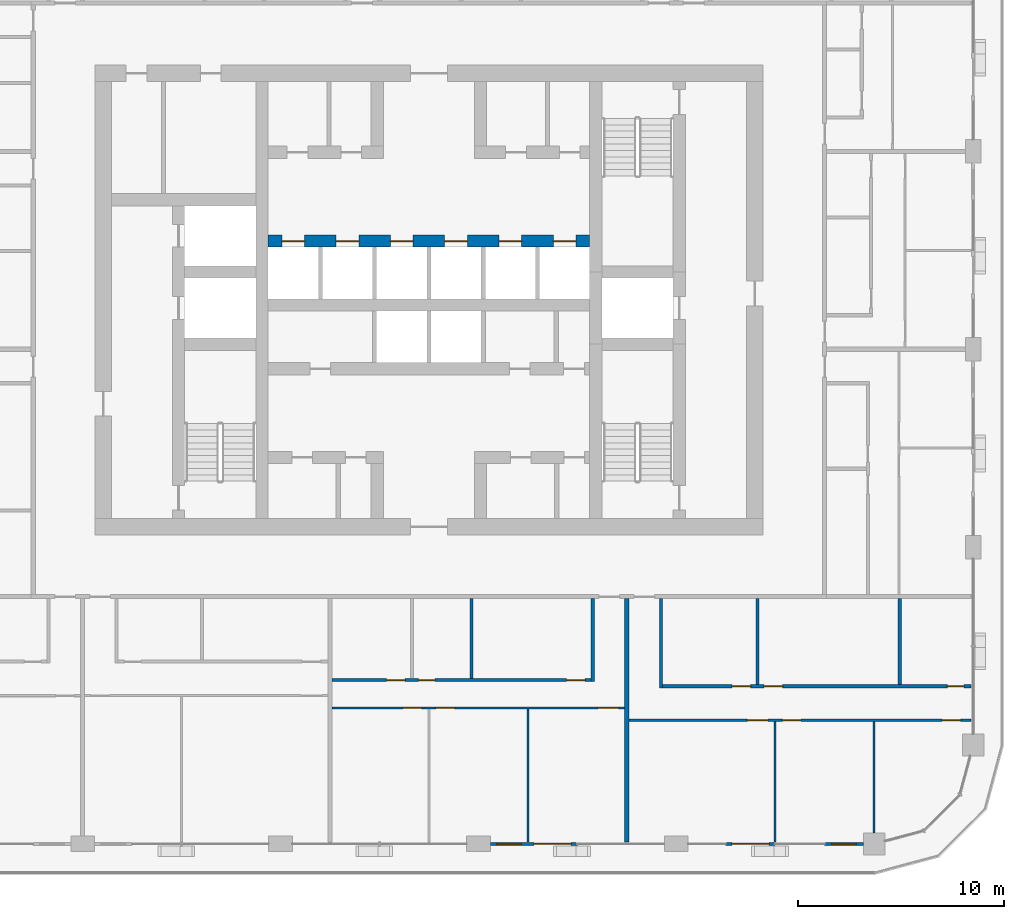
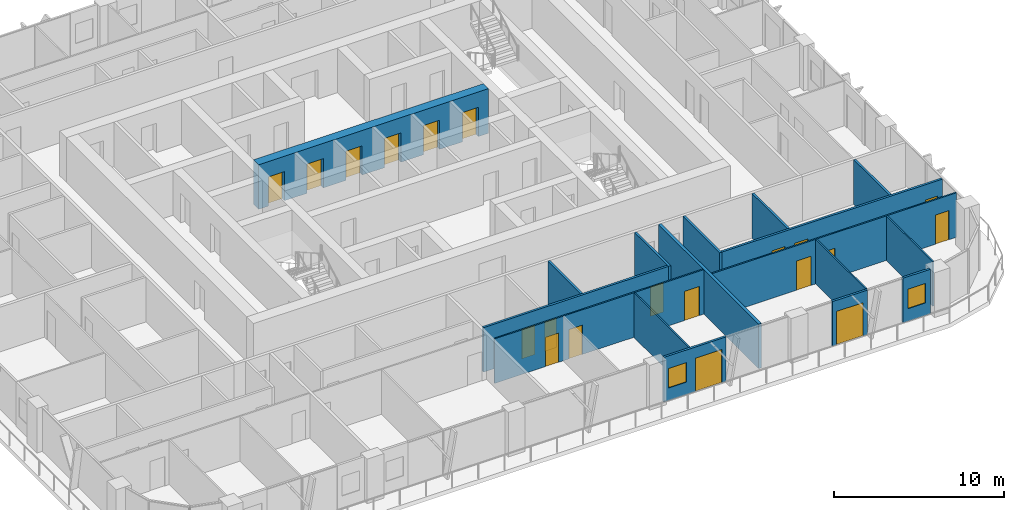
# One storey, part 11 of 22: 20 doors, 17 walls, 2 windows, 22 openings.
"""IFC4 building model written with IfcOpenShell, lengths in metres."""

from ifc_helpers import new_model, si_unit, direction, frame, frame_2d, origin, place, context, subcontext, project, spatial, rectangle, extrude, material, layer, layer_set, type_object, element, fill, save


model = new_model("IFC4")

# Units and contexts
model_context = context("Model", 3, precision=1e-05, world=origin(), true_north=direction((0.0, 1.0)))
body_context = subcontext(model_context, "Body", "Model", "MODEL_VIEW")
ifc_project = project(units=[si_unit("LENGTHUNIT", "METRE"), si_unit("AREAUNIT", "SQUARE_METRE"), si_unit("VOLUMEUNIT", "CUBIC_METRE"), si_unit("PLANEANGLEUNIT", "RADIAN"), si_unit("MASSUNIT", "GRAM", prefix="KILO")], contexts=[model_context])

# Site, building, storey
site_placement = place(None, origin())
site = spatial("IfcSite", under=ifc_project, at=site_placement, CompositionType="ELEMENT")
building_placement = place(site_placement, origin())
building = spatial("IfcBuilding", under=site, at=building_placement, Name="Madar Terraces", CompositionType="ELEMENT")
storey_placement = place(building_placement, frame((0.0, 0.0, 149.0)))
storey = spatial("IfcBuildingStorey", under=building, at=storey_placement, Name="L38", CompositionType="ELEMENT", Elevation=149.0)

# Wall, openings, doors
ifc_material_1 = material(Name="Concrete C70/85", Category="concrete")
ifc_layer_1 = layer(ifc_material_1, 0.60009765625)
ifc_layer_set_1 = layer_set([ifc_layer_1], Name="Concrete C70/85 (CIW3 RC wall 600)")
wall_type_1 = type_object("IfcWallType", Name="CIW3 RC wall 600", PredefinedType="SHEAR", material=ifc_layer_set_1)
wall_1_placement = place(storey_placement, frame((23.39990234375, 29.25, 0.0), z_axis=(0.0, 0.0, 1.0), x_axis=(1.0, 0.0, 0.0)))
wall_1 = element("IfcWall", 1, at=wall_1_placement, inside=storey, type_object=wall_type_1, Name="CORE SHAFT WALL", PredefinedType="SHEAR", context=body_context, shape_type="SweptSolid", body=[
    extrude(rectangle(XDim=15.60009765625, YDim=0.60009765625, at=frame_2d((7.800048828125, 0.0))), origin(), (0.0, 0.0, 1.0), 3.199951171875),
])
opening_1_placement = place(wall_1_placement, frame((0.666748046875, 0.0, 0.0)))
opening_1 = element("IfcOpeningElement", 2, at=opening_1_placement, cuts=wall_1, Name="Opening LD", PredefinedType="OPENING", context=body_context, shape_type="SweptSolid", body=[
    extrude(rectangle(XDim=1.10009765625, YDim=2.10009765625, at=frame_2d((0.550048828125, 1.050048828125))), frame((0.0, 0.31005859375, 0.0), z_axis=(0.0, -1.0, 0.0), x_axis=(1.0, 0.0, 0.0)), (0.0, 0.0, 1.0), 0.6201171875),
])
opening_2_placement = place(wall_1_placement, frame((3.300048828125, 0.0, 0.0)))
opening_2 = element("IfcOpeningElement", 3, at=opening_2_placement, cuts=wall_1, Name="Opening LD", PredefinedType="OPENING", context=body_context, shape_type="SweptSolid", body=[
    extrude(rectangle(XDim=1.10009765625, YDim=2.10009765625, at=frame_2d((0.550048828125, 1.050048828125))), frame((0.0, 0.31005859375, 0.0), z_axis=(0.0, -1.0, 0.0), x_axis=(1.0, 0.0, 0.0)), (0.0, 0.0, 1.0), 0.6201171875),
])
opening_3_placement = place(wall_1_placement, frame((5.933349609375, 0.0, 0.0)))
opening_3 = element("IfcOpeningElement", 4, at=opening_3_placement, cuts=wall_1, Name="Opening LD", PredefinedType="OPENING", context=body_context, shape_type="SweptSolid", body=[
    extrude(rectangle(XDim=1.10009765625, YDim=2.10009765625, at=frame_2d((0.550048828125, 1.050048828125))), frame((0.0, 0.31005859375, 0.0), z_axis=(0.0, -1.0, 0.0), x_axis=(1.0, 0.0, 0.0)), (0.0, 0.0, 1.0), 0.6201171875),
])
opening_4_placement = place(wall_1_placement, frame((8.566650390625, 0.0, 0.0)))
opening_4 = element("IfcOpeningElement", 5, at=opening_4_placement, cuts=wall_1, Name="Opening LD", PredefinedType="OPENING", context=body_context, shape_type="SweptSolid", body=[
    extrude(rectangle(XDim=1.10009765625, YDim=2.10009765625, at=frame_2d((0.550048828125, 1.050048828125))), frame((0.0, 0.31005859375, 0.0), z_axis=(0.0, -1.0, 0.0), x_axis=(1.0, 0.0, 0.0)), (0.0, 0.0, 1.0), 0.6201171875),
])
opening_5_placement = place(wall_1_placement, frame((11.199951171875, 0.0, 0.0)))
opening_5 = element("IfcOpeningElement", 6, at=opening_5_placement, cuts=wall_1, Name="Opening LD", PredefinedType="OPENING", context=body_context, shape_type="SweptSolid", body=[
    extrude(rectangle(XDim=1.10009765625, YDim=2.10009765625, at=frame_2d((0.550048828125, 1.050048828125))), frame((0.0, 0.31005859375, 0.0), z_axis=(0.0, -1.0, 0.0), x_axis=(1.0, 0.0, 0.0)), (0.0, 0.0, 1.0), 0.6201171875),
])
opening_6_placement = place(wall_1_placement, frame((13.833251953125, 0.0, 0.0)))
opening_6 = element("IfcOpeningElement", 7, at=opening_6_placement, cuts=wall_1, Name="Opening LD", PredefinedType="OPENING", context=body_context, shape_type="SweptSolid", body=[
    extrude(rectangle(XDim=1.10009765625, YDim=2.10009765625, at=frame_2d((0.550048828125, 1.050048828125))), frame((0.0, 0.31005859375, 0.0), z_axis=(0.0, -1.0, 0.0), x_axis=(1.0, 0.0, 0.0)), (0.0, 0.0, 1.0), 0.6201171875),
])
ifc_material_2 = material(Name="Stainless steel panel", Category="steel")
door_type_1 = type_object("IfcDoorType", Name="Lift landing door 1100 x 2100", OperationType="DOUBLE_DOOR_SLIDING", PredefinedType="DOOR", material=ifc_material_2)
door_1_placement = place(opening_1_placement, origin())
door_1 = element("IfcDoor", 8, at=door_1_placement, inside=storey, type_object=door_type_1, Name="LIFT LANDING DOOR", OperationType="DOUBLE_DOOR_SLIDING", OverallHeight=2.10009765625, OverallWidth=1.10009765625, PredefinedType="DOOR", context=body_context, shape_type="SweptSolid", body=[
    extrude(rectangle(XDim=1.10009765625, YDim=2.10009765625, at=frame_2d((0.550048828125, 1.050048828125))), frame((0.0, 0.02490234375, 0.0), z_axis=(0.0, -1.0, 0.0), x_axis=(1.0, 0.0, 0.0)), (0.0, 0.0, 1.0), 0.050048828125),
])
fill(opening_1, door_1)
door_2_placement = place(opening_2_placement, origin())
door_2 = element("IfcDoor", 9, at=door_2_placement, inside=storey, type_object=door_type_1, Name="LIFT LANDING DOOR", OperationType="DOUBLE_DOOR_SLIDING", OverallHeight=2.10009765625, OverallWidth=1.10009765625, PredefinedType="DOOR", context=body_context, shape_type="SweptSolid", body=[
    extrude(rectangle(XDim=1.10009765625, YDim=2.10009765625, at=frame_2d((0.550048828125, 1.050048828125))), frame((0.0, 0.02490234375, 0.0), z_axis=(0.0, -1.0, 0.0), x_axis=(1.0, 0.0, 0.0)), (0.0, 0.0, 1.0), 0.050048828125),
])
fill(opening_2, door_2)
door_3_placement = place(opening_3_placement, origin())
door_3 = element("IfcDoor", 10, at=door_3_placement, inside=storey, type_object=door_type_1, Name="LIFT LANDING DOOR", OperationType="DOUBLE_DOOR_SLIDING", OverallHeight=2.10009765625, OverallWidth=1.10009765625, PredefinedType="DOOR", context=body_context, shape_type="SweptSolid", body=[
    extrude(rectangle(XDim=1.10009765625, YDim=2.10009765625, at=frame_2d((0.550048828125, 1.050048828125))), frame((0.0, 0.02490234375, 0.0), z_axis=(0.0, -1.0, 0.0), x_axis=(1.0, 0.0, 0.0)), (0.0, 0.0, 1.0), 0.050048828125),
])
fill(opening_3, door_3)
door_4_placement = place(opening_4_placement, origin())
door_4 = element("IfcDoor", 11, at=door_4_placement, inside=storey, type_object=door_type_1, Name="LIFT LANDING DOOR", OperationType="DOUBLE_DOOR_SLIDING", OverallHeight=2.10009765625, OverallWidth=1.10009765625, PredefinedType="DOOR", context=body_context, shape_type="SweptSolid", body=[
    extrude(rectangle(XDim=1.10009765625, YDim=2.10009765625, at=frame_2d((0.550048828125, 1.050048828125))), frame((0.0, 0.02490234375, 0.0), z_axis=(0.0, -1.0, 0.0), x_axis=(1.0, 0.0, 0.0)), (0.0, 0.0, 1.0), 0.050048828125),
])
fill(opening_4, door_4)
door_5_placement = place(opening_5_placement, origin())
door_5 = element("IfcDoor", 12, at=door_5_placement, inside=storey, type_object=door_type_1, Name="LIFT LANDING DOOR", OperationType="DOUBLE_DOOR_SLIDING", OverallHeight=2.10009765625, OverallWidth=1.10009765625, PredefinedType="DOOR", context=body_context, shape_type="SweptSolid", body=[
    extrude(rectangle(XDim=1.10009765625, YDim=2.10009765625, at=frame_2d((0.550048828125, 1.050048828125))), frame((0.0, 0.02490234375, 0.0), z_axis=(0.0, -1.0, 0.0), x_axis=(1.0, 0.0, 0.0)), (0.0, 0.0, 1.0), 0.050048828125),
])
fill(opening_5, door_5)
door_6_placement = place(opening_6_placement, origin())
door_6 = element("IfcDoor", 13, at=door_6_placement, inside=storey, type_object=door_type_1, Name="LIFT LANDING DOOR", OperationType="DOUBLE_DOOR_SLIDING", OverallHeight=2.10009765625, OverallWidth=1.10009765625, PredefinedType="DOOR", context=body_context, shape_type="SweptSolid", body=[
    extrude(rectangle(XDim=1.10009765625, YDim=2.10009765625, at=frame_2d((0.550048828125, 1.050048828125))), frame((0.0, 0.02490234375, 0.0), z_axis=(0.0, -1.0, 0.0), x_axis=(1.0, 0.0, 0.0)), (0.0, 0.0, 1.0), 0.050048828125),
])
fill(opening_6, door_6)

# Wall, openings, door, window
ifc_material_3 = material(Name="Aluminium composite panel, black, over insulated backing", Category="aluminium")
ifc_layer_2 = layer(ifc_material_3, 0.14990234375)
ifc_layer_set_2 = layer_set([ifc_layer_2], Name="Facade bay panel 150")
wall_type_2 = type_object("IfcWallType", Name="Facade bay panel 150", PredefinedType="SOLIDWALL", material=ifc_layer_set_2)
wall_2_placement = place(storey_placement, frame((34.175048828125, 0.0, 0.0), z_axis=(0.0, 0.0, 1.0), x_axis=(1.0, 0.0, 0.0)))
wall_2 = element("IfcWall", 14, at=wall_2_placement, inside=storey, type_object=wall_type_2, Name="Facade bay panel", PredefinedType="SOLIDWALL", context=body_context, shape_type="SweptSolid", body=[
    extrude(rectangle(XDim=4.224853515625, YDim=0.14990234375, at=frame_2d((2.1123046875, 0.0))), origin(), (0.0, 0.0, 1.0), 3.199951171875),
])
opening_7_placement = place(wall_2_placement, frame((0.3125, 0.0, 0.89990234375)))
opening_7 = element("IfcOpeningElement", 15, at=opening_7_placement, cuts=wall_2, Name="Opening W1", PredefinedType="OPENING", context=body_context, shape_type="SweptSolid", body=[
    extrude(rectangle(XDim=1.199951171875, YDim=1.39990234375, at=frame_2d((0.60009765625, 0.699951171875))), frame((0.0, 0.0849609375, 0.0), z_axis=(0.0, -1.0, 0.0), x_axis=(1.0, 0.0, 0.0)), (0.0, 0.0, 1.0), 0.169921875),
])
opening_8_placement = place(wall_2_placement, frame((2.125, 0.0, 0.0)))
opening_8 = element("IfcOpeningElement", 16, at=opening_8_placement, cuts=wall_2, Name="Opening ED1", PredefinedType="OPENING", context=body_context, shape_type="SweptSolid", body=[
    extrude(rectangle(XDim=1.800048828125, YDim=2.39990234375, at=frame_2d((0.89990234375, 1.199951171875))), frame((0.0, 0.0849609375, 0.0), z_axis=(0.0, -1.0, 0.0), x_axis=(1.0, 0.0, 0.0)), (0.0, 0.0, 1.0), 0.169921875),
])
ifc_material_4 = material(Name="Glass, clear, with black aluminium frame", Category="aluminium")
door_type_2 = type_object("IfcDoorType", Name="Balcony and terrace sliding door 1800 x 2400", OperationType="SLIDING_TO_LEFT", PredefinedType="DOOR", material=ifc_material_4)
door_7_placement = place(opening_8_placement, origin())
door_7 = element("IfcDoor", 17, at=door_7_placement, inside=storey, type_object=door_type_2, Name="Balcony door", OperationType="SLIDING_TO_LEFT", OverallHeight=2.39990234375, OverallWidth=1.800048828125, PredefinedType="DOOR", context=body_context, shape_type="SweptSolid", body=[
    extrude(rectangle(XDim=1.800048828125, YDim=2.39990234375, at=frame_2d((0.89990234375, 1.199951171875))), frame((0.0, 0.02490234375, 0.0), z_axis=(0.0, -1.0, 0.0), x_axis=(1.0, 0.0, 0.0)), (0.0, 0.0, 1.0), 0.050048828125),
])
fill(opening_8, door_7)
ifc_material_5 = material(Name="Glass, clear, with black aluminium frame", Category="aluminium")
window_type = type_object("IfcWindowType", Name="Vent window 1200 x 1400", PartitioningType="SINGLE_PANEL", PredefinedType="WINDOW", material=ifc_material_5)
window_1_placement = place(opening_7_placement, origin())
window_1 = element("IfcWindow", 18, at=window_1_placement, inside=storey, type_object=window_type, Name="Operable vent window", OverallHeight=1.39990234375, OverallWidth=1.199951171875, PartitioningType="SINGLE_PANEL", PredefinedType="WINDOW", context=body_context, shape_type="SweptSolid", body=[
    extrude(rectangle(XDim=1.199951171875, YDim=1.39990234375, at=frame_2d((0.60009765625, 0.699951171875))), frame((0.0, 0.030029296875, 0.0), z_axis=(0.0, -1.0, 0.0), x_axis=(1.0, 0.0, 0.0)), (0.0, 0.0, 1.0), 0.06005859375),
])
fill(opening_7, window_1)

# Wall, opening, door
wall_3_placement = place(storey_placement, frame((45.60009765625, 0.0, 0.0), z_axis=(0.0, 0.0, 1.0), x_axis=(1.0, 0.0, 0.0)))
wall_3 = element("IfcWall", 19, at=wall_3_placement, inside=storey, type_object=wall_type_2, Name="Facade bay panel", PredefinedType="SOLIDWALL", context=body_context, shape_type="SweptSolid", body=[
    extrude(rectangle(XDim=2.39990234375, YDim=0.14990234375, at=frame_2d((1.199951171875, 0.0))), origin(), (0.0, 0.0, 1.0), 3.199951171875),
])
opening_9_placement = place(wall_3_placement, frame((0.300048828125, 0.0, 0.0)))
opening_9 = element("IfcOpeningElement", 20, at=opening_9_placement, cuts=wall_3, Name="Opening ED1", PredefinedType="OPENING", context=body_context, shape_type="SweptSolid", body=[
    extrude(rectangle(XDim=1.800048828125, YDim=2.39990234375, at=frame_2d((0.89990234375, 1.199951171875))), frame((0.0, 0.0849609375, 0.0), z_axis=(0.0, -1.0, 0.0), x_axis=(1.0, 0.0, 0.0)), (0.0, 0.0, 1.0), 0.169921875),
])
door_8_placement = place(opening_9_placement, origin())
door_8 = element("IfcDoor", 21, at=door_8_placement, inside=storey, type_object=door_type_2, Name="Balcony door", OperationType="SLIDING_TO_RIGHT", OverallHeight=2.39990234375, OverallWidth=1.800048828125, PredefinedType="DOOR", context=body_context, shape_type="SweptSolid", body=[
    extrude(rectangle(XDim=1.800048828125, YDim=2.39990234375, at=frame_2d((0.89990234375, 1.199951171875))), frame((0.0, 0.02490234375, 0.0), z_axis=(0.0, -1.0, 0.0), x_axis=(1.0, 0.0, 0.0)), (0.0, 0.0, 1.0), 0.050048828125),
])
fill(opening_9, door_8)

# Wall, opening, window
wall_4_placement = place(storey_placement, frame((50.39990234375, 0.0, 0.0), z_axis=(0.0, 0.0, 1.0), x_axis=(1.0, 0.0, 0.0)))
wall_4 = element("IfcWall", 22, at=wall_4_placement, inside=storey, type_object=wall_type_2, Name="Facade bay panel", PredefinedType="SOLIDWALL", context=body_context, shape_type="SweptSolid", body=[
    extrude(rectangle(XDim=1.875, YDim=0.14990234375, at=frame_2d((0.9375, 0.0))), origin(), (0.0, 0.0, 1.0), 3.199951171875),
])
opening_10_placement = place(wall_4_placement, frame((0.33740234375, 0.0, 0.89990234375)))
opening_10 = element("IfcOpeningElement", 23, at=opening_10_placement, cuts=wall_4, Name="Opening W1", PredefinedType="OPENING", context=body_context, shape_type="SweptSolid", body=[
    extrude(rectangle(XDim=1.199951171875, YDim=1.39990234375, at=frame_2d((0.60009765625, 0.699951171875))), frame((0.0, 0.0849609375, 0.0), z_axis=(0.0, -1.0, 0.0), x_axis=(1.0, 0.0, 0.0)), (0.0, 0.0, 1.0), 0.169921875),
])
window_2_placement = place(opening_10_placement, origin())
window_2 = element("IfcWindow", 24, at=window_2_placement, inside=storey, type_object=window_type, Name="Operable vent window", OverallHeight=1.39990234375, OverallWidth=1.199951171875, PartitioningType="SINGLE_PANEL", PredefinedType="WINDOW", context=body_context, shape_type="SweptSolid", body=[
    extrude(rectangle(XDim=1.199951171875, YDim=1.39990234375, at=frame_2d((0.60009765625, 0.699951171875))), frame((0.0, 0.030029296875, 0.0), z_axis=(0.0, -1.0, 0.0), x_axis=(1.0, 0.0, 0.0)), (0.0, 0.0, 1.0), 0.06005859375),
])
fill(opening_10, window_2)

# Wall
ifc_material_6 = material(Name="Gypsum board on steel studs", Category="steel")
ifc_layer_3 = layer(ifc_material_6, 0.10009765625)
ifc_layer_set_3 = layer_set([ifc_layer_3], Name="Flat partition 100")
wall_type_3 = type_object("IfcWallType", Name="Flat partition 100", PredefinedType="PARTITIONING", material=ifc_layer_set_3)
wall_5_placement = place(storey_placement, frame((36.0, 6.550048828125, 0.0), z_axis=(0.0, 0.0, 1.0), x_axis=(0.0, -1.0, 0.0)))
element("IfcWall", 25, at=wall_5_placement, inside=storey, type_object=wall_type_3, Name="Flat partition 100", PredefinedType="PARTITIONING", context=body_context, shape_type="SweptSolid", body=[
    extrude(rectangle(XDim=6.449951171875, YDim=0.10009765625, at=frame_2d((3.22509765625, 0.0))), origin(), (0.0, 0.0, 1.0), 3.199951171875),
])

# Wall, openings, doors
wall_6_placement = place(storey_placement, frame((40.699951171875, 6.60009765625, 0.0), z_axis=(0.0, 0.0, 1.0), x_axis=(-1.0, 0.0, 0.0)))
wall_6 = element("IfcWall", 26, at=wall_6_placement, inside=storey, type_object=wall_type_3, Name="Flat partition 100", PredefinedType="PARTITIONING", context=body_context, shape_type="SweptSolid", body=[
    extrude(rectangle(XDim=14.199951171875, YDim=0.10009765625, at=frame_2d((7.10009765625, 0.0))), origin(), (0.0, 0.0, 1.0), 3.199951171875),
])
opening_11_placement = place(wall_6_placement, frame((0.300048828125, 0.0, 0.0)))
opening_11 = element("IfcOpeningElement", 27, at=opening_11_placement, cuts=wall_6, Name="Opening D3", PredefinedType="OPENING", context=body_context, shape_type="SweptSolid", body=[
    extrude(rectangle(XDim=1.0, YDim=2.10009765625, at=frame_2d((0.5, 1.050048828125))), frame((0.0, 0.06005859375, 0.0), z_axis=(0.0, -1.0, 0.0), x_axis=(1.0, 0.0, 0.0)), (0.0, 0.0, 1.0), 0.1201171875),
])
opening_12_placement = place(wall_6_placement, frame((8.25, 0.0, 0.0)))
opening_12 = element("IfcOpeningElement", 28, at=opening_12_placement, cuts=wall_6, Name="Opening D2", PredefinedType="OPENING", context=body_context, shape_type="SweptSolid", body=[
    extrude(rectangle(XDim=0.89990234375, YDim=2.10009765625, at=frame_2d((0.449951171875, 1.050048828125))), frame((0.0, 0.06005859375, 0.0), z_axis=(0.0, -1.0, 0.0), x_axis=(1.0, 0.0, 0.0)), (0.0, 0.0, 1.0), 0.1201171875),
])
opening_13_placement = place(wall_6_placement, frame((9.85009765625, 0.0, 0.0)))
opening_13 = element("IfcOpeningElement", 29, at=opening_13_placement, cuts=wall_6, Name="Opening D2", PredefinedType="OPENING", context=body_context, shape_type="SweptSolid", body=[
    extrude(rectangle(XDim=0.89990234375, YDim=2.10009765625, at=frame_2d((0.449951171875, 1.050048828125))), frame((0.0, 0.06005859375, 0.0), z_axis=(0.0, -1.0, 0.0), x_axis=(1.0, 0.0, 0.0)), (0.0, 0.0, 1.0), 0.1201171875),
])
ifc_material_7 = material(Name="Timber door leaf", Category="wood")
door_type_3 = type_object("IfcDoorType", Name="Flat living room door 1000", OperationType="NOTDEFINED", PredefinedType="DOOR", material=ifc_material_7)
door_9_placement = place(opening_11_placement, origin())
door_9 = element("IfcDoor", 30, at=door_9_placement, inside=storey, type_object=door_type_3, Name="Flat living room door 1000", OperationType="SINGLE_SWING_LEFT", OverallHeight=2.10009765625, OverallWidth=1.0, PredefinedType="DOOR", context=body_context, shape_type="SweptSolid", body=[
    extrude(rectangle(XDim=1.0, YDim=2.10009765625, at=frame_2d((0.5, 1.050048828125))), frame((0.0, 0.02490234375, 0.0), z_axis=(0.0, -1.0, 0.0), x_axis=(1.0, 0.0, 0.0)), (0.0, 0.0, 1.0), 0.050048828125),
])
fill(opening_11, door_9)
ifc_material_8 = material(Name="Timber door leaf", Category="wood")
door_type_4 = type_object("IfcDoorType", Name="Flat room door 900", OperationType="NOTDEFINED", PredefinedType="DOOR", material=ifc_material_8)
door_10_placement = place(opening_12_placement, origin())
door_10 = element("IfcDoor", 31, at=door_10_placement, inside=storey, type_object=door_type_4, Name="Flat room door 900", OperationType="SINGLE_SWING_RIGHT", OverallHeight=2.10009765625, OverallWidth=0.89990234375, PredefinedType="DOOR", context=body_context, shape_type="SweptSolid", body=[
    extrude(rectangle(XDim=0.89990234375, YDim=2.10009765625, at=frame_2d((0.449951171875, 1.050048828125))), frame((0.0, 0.02490234375, 0.0), z_axis=(0.0, -1.0, 0.0), x_axis=(1.0, 0.0, 0.0)), (0.0, 0.0, 1.0), 0.050048828125),
])
fill(opening_12, door_10)
door_11_placement = place(opening_13_placement, origin())
door_11 = element("IfcDoor", 32, at=door_11_placement, inside=storey, type_object=door_type_4, Name="Flat room door 900", OperationType="SINGLE_SWING_LEFT", OverallHeight=2.10009765625, OverallWidth=0.89990234375, PredefinedType="DOOR", context=body_context, shape_type="SweptSolid", body=[
    extrude(rectangle(XDim=0.89990234375, YDim=2.10009765625, at=frame_2d((0.449951171875, 1.050048828125))), frame((0.0, 0.02490234375, 0.0), z_axis=(0.0, -1.0, 0.0), x_axis=(1.0, 0.0, 0.0)), (0.0, 0.0, 1.0), 0.050048828125),
])
fill(opening_13, door_11)

# Walls
wall_7_placement = place(storey_placement, frame((48.0, 5.949951171875, 0.0), z_axis=(0.0, 0.0, 1.0), x_axis=(0.0, -1.0, 0.0)))
element("IfcWall", 33, at=wall_7_placement, inside=storey, type_object=wall_type_3, Name="Flat partition 100", PredefinedType="PARTITIONING", context=body_context, shape_type="SweptSolid", body=[
    extrude(rectangle(XDim=5.849853515625, YDim=0.10009765625, at=frame_2d((2.9248046875, 0.0))), origin(), (0.0, 0.0, 1.0), 3.199951171875),
])
wall_8_placement = place(storey_placement, frame((52.800048828125, 5.949951171875, 0.0), z_axis=(0.0, 0.0, 1.0), x_axis=(0.0, -1.0, 0.0)))
element("IfcWall", 34, at=wall_8_placement, inside=storey, type_object=wall_type_3, Name="Flat partition 100", PredefinedType="PARTITIONING", context=body_context, shape_type="SweptSolid", body=[
    extrude(rectangle(XDim=5.425048828125, YDim=0.10009765625, at=frame_2d((2.71240234375, 0.0))), origin(), (0.0, 0.0, 1.0), 3.199951171875),
])

# Wall, openings, doors
wall_9_placement = place(storey_placement, frame((57.5, 6.0, 0.0), z_axis=(0.0, 0.0, 1.0), x_axis=(-1.0, 0.0, 0.0)))
wall_9 = element("IfcWall", 35, at=wall_9_placement, inside=storey, type_object=wall_type_3, Name="Flat partition 100", PredefinedType="PARTITIONING", context=body_context, shape_type="SweptSolid", body=[
    extrude(rectangle(XDim=16.60009765625, YDim=0.10009765625, at=frame_2d((8.300048828125, 0.0))), origin(), (0.0, 0.0, 1.0), 3.199951171875),
])
opening_14_placement = place(wall_9_placement, frame((9.85009765625, 0.0, 0.0)))
opening_14 = element("IfcOpeningElement", 36, at=opening_14_placement, cuts=wall_9, Name="Opening D3", PredefinedType="OPENING", context=body_context, shape_type="SweptSolid", body=[
    extrude(rectangle(XDim=1.0, YDim=2.10009765625, at=frame_2d((0.5, 1.050048828125))), frame((0.0, 0.06005859375, 0.0), z_axis=(0.0, -1.0, 0.0), x_axis=(1.0, 0.0, 0.0)), (0.0, 0.0, 1.0), 0.1201171875),
])
opening_15_placement = place(wall_9_placement, frame((8.25, 0.0, 0.0)))
opening_15 = element("IfcOpeningElement", 37, at=opening_15_placement, cuts=wall_9, Name="Opening D2", PredefinedType="OPENING", context=body_context, shape_type="SweptSolid", body=[
    extrude(rectangle(XDim=0.89990234375, YDim=2.10009765625, at=frame_2d((0.449951171875, 1.050048828125))), frame((0.0, 0.06005859375, 0.0), z_axis=(0.0, -1.0, 0.0), x_axis=(1.0, 0.0, 0.0)), (0.0, 0.0, 1.0), 0.1201171875),
])
opening_16_placement = place(wall_9_placement, frame((0.5, 0.0, 0.0)))
opening_16 = element("IfcOpeningElement", 38, at=opening_16_placement, cuts=wall_9, Name="Opening D2", PredefinedType="OPENING", context=body_context, shape_type="SweptSolid", body=[
    extrude(rectangle(XDim=0.89990234375, YDim=2.10009765625, at=frame_2d((0.449951171875, 1.050048828125))), frame((0.0, 0.06005859375, 0.0), z_axis=(0.0, -1.0, 0.0), x_axis=(1.0, 0.0, 0.0)), (0.0, 0.0, 1.0), 0.1201171875),
])
door_12_placement = place(opening_14_placement, origin())
door_12 = element("IfcDoor", 39, at=door_12_placement, inside=storey, type_object=door_type_3, Name="Flat living room door 1000", OperationType="SINGLE_SWING_LEFT", OverallHeight=2.10009765625, OverallWidth=1.0, PredefinedType="DOOR", context=body_context, shape_type="SweptSolid", body=[
    extrude(rectangle(XDim=1.0, YDim=2.10009765625, at=frame_2d((0.5, 1.050048828125))), frame((0.0, 0.02490234375, 0.0), z_axis=(0.0, -1.0, 0.0), x_axis=(1.0, 0.0, 0.0)), (0.0, 0.0, 1.0), 0.050048828125),
])
fill(opening_14, door_12)
door_13_placement = place(opening_15_placement, origin())
door_13 = element("IfcDoor", 40, at=door_13_placement, inside=storey, type_object=door_type_4, Name="Flat room door 900", OperationType="SINGLE_SWING_RIGHT", OverallHeight=2.10009765625, OverallWidth=0.89990234375, PredefinedType="DOOR", context=body_context, shape_type="SweptSolid", body=[
    extrude(rectangle(XDim=0.89990234375, YDim=2.10009765625, at=frame_2d((0.449951171875, 1.050048828125))), frame((0.0, 0.02490234375, 0.0), z_axis=(0.0, -1.0, 0.0), x_axis=(1.0, 0.0, 0.0)), (0.0, 0.0, 1.0), 0.050048828125),
])
fill(opening_15, door_13)
door_14_placement = place(opening_16_placement, origin())
door_14 = element("IfcDoor", 41, at=door_14_placement, inside=storey, type_object=door_type_4, Name="Flat room door 900", OperationType="SINGLE_SWING_LEFT", OverallHeight=2.10009765625, OverallWidth=0.89990234375, PredefinedType="DOOR", context=body_context, shape_type="SweptSolid", body=[
    extrude(rectangle(XDim=0.89990234375, YDim=2.10009765625, at=frame_2d((0.449951171875, 1.050048828125))), frame((0.0, 0.02490234375, 0.0), z_axis=(0.0, -1.0, 0.0), x_axis=(1.0, 0.0, 0.0)), (0.0, 0.0, 1.0), 0.050048828125),
])
fill(opening_16, door_14)

# Walls
ifc_material_9 = material(Name="Lightweight blockwork", Category="masonry")
ifc_layer_4 = layer(ifc_material_9, 0.199951171875)
ifc_layer_set_4 = layer_set([ifc_layer_4], Name="Flat party and entrance wall 200")
wall_type_4 = type_object("IfcWallType", Name="Flat party and entrance wall 200", PredefinedType="PARTITIONING", material=ifc_layer_set_4)
wall_10_placement = place(storey_placement, frame((40.800048828125, 11.89990234375, 0.0), z_axis=(0.0, 0.0, 1.0), x_axis=(0.0, -1.0, 0.0)))
element("IfcWall", 42, at=wall_10_placement, inside=storey, type_object=wall_type_4, Name="Flat party and entrance wall 200", PredefinedType="PARTITIONING", context=body_context, shape_type="SweptSolid", body=[
    extrude(rectangle(XDim=11.7998046875, YDim=0.199951171875, at=frame_2d((5.89990234375, 0.0))), origin(), (0.0, 0.0, 1.0), 3.199951171875),
])
ifc_material_10 = material(Name="Lightweight blockwork", Category="masonry")
ifc_layer_5 = layer(ifc_material_10, 0.14990234375)
ifc_layer_set_5 = layer_set([ifc_layer_5], Name="Flat wet-room partition 150")
wall_type_5 = type_object("IfcWallType", Name="Flat wet-room partition 150", PredefinedType="PARTITIONING", material=ifc_layer_set_5)
wall_11_placement = place(storey_placement, frame((33.271240234375, 11.89990234375, 0.0), z_axis=(0.0, 0.0, 1.0), x_axis=(0.0, -1.0, 0.0)))
element("IfcWall", 43, at=wall_11_placement, inside=storey, type_object=wall_type_5, Name="Flat wet-room partition 150", PredefinedType="PARTITIONING", context=body_context, shape_type="SweptSolid", body=[
    extrude(rectangle(XDim=3.875, YDim=0.14990234375, at=frame_2d((1.9375, 0.0))), origin(), (0.0, 0.0, 1.0), 3.199951171875),
])
wall_12_placement = place(storey_placement, frame((39.14990234375, 11.89990234375, 0.0), z_axis=(0.0, 0.0, 1.0), x_axis=(0.0, -1.0, 0.0)))
element("IfcWall", 44, at=wall_12_placement, inside=storey, type_object=wall_type_5, Name="Flat wet-room partition 150", PredefinedType="PARTITIONING", context=body_context, shape_type="SweptSolid", body=[
    extrude(rectangle(XDim=4.02490234375, YDim=0.14990234375, at=frame_2d((2.012451171875, 0.0))), origin(), (0.0, 0.0, 1.0), 3.199951171875),
])

# Wall, openings, doors
wall_13_placement = place(storey_placement, frame((26.5, 7.949951171875, 0.0), z_axis=(0.0, 0.0, 1.0), x_axis=(1.0, 0.0, 0.0)))
wall_13 = element("IfcWall", 45, at=wall_13_placement, inside=storey, type_object=wall_type_5, Name="Flat wet-room partition 150", PredefinedType="PARTITIONING", context=body_context, shape_type="SweptSolid", body=[
    extrude(rectangle(XDim=12.574951171875, YDim=0.14990234375, at=frame_2d((6.28759765625, 0.0))), origin(), (0.0, 0.0, 1.0), 3.199951171875),
])
opening_17_placement = place(wall_13_placement, frame((11.375, 0.0, 0.0)))
opening_17 = element("IfcOpeningElement", 46, at=opening_17_placement, cuts=wall_13, Name="Opening D2", PredefinedType="OPENING", context=body_context, shape_type="SweptSolid", body=[
    extrude(rectangle(XDim=0.89990234375, YDim=2.10009765625, at=frame_2d((0.449951171875, 1.050048828125))), frame((0.0, 0.0849609375, 0.0), z_axis=(0.0, -1.0, 0.0), x_axis=(1.0, 0.0, 0.0)), (0.0, 0.0, 1.0), 0.169921875),
])
opening_18_placement = place(wall_13_placement, frame((4.1943359375, 0.0, 0.0)))
opening_18 = element("IfcOpeningElement", 47, at=opening_18_placement, cuts=wall_13, Name="Opening D4", PredefinedType="OPENING", context=body_context, shape_type="SweptSolid", body=[
    extrude(rectangle(XDim=0.800048828125, YDim=2.10009765625, at=frame_2d((0.39990234375, 1.050048828125))), frame((0.0, 0.0849609375, 0.0), z_axis=(0.0, -1.0, 0.0), x_axis=(1.0, 0.0, 0.0)), (0.0, 0.0, 1.0), 0.169921875),
])
opening_19_placement = place(wall_13_placement, frame((2.644287109375, 0.0, 0.0)))
opening_19 = element("IfcOpeningElement", 48, at=opening_19_placement, cuts=wall_13, Name="Opening D5", PredefinedType="OPENING", context=body_context, shape_type="SweptSolid", body=[
    extrude(rectangle(XDim=0.89990234375, YDim=2.10009765625, at=frame_2d((0.449951171875, 1.050048828125))), frame((0.0, 0.0849609375, 0.0), z_axis=(0.0, -1.0, 0.0), x_axis=(1.0, 0.0, 0.0)), (0.0, 0.0, 1.0), 0.169921875),
])
ifc_material_11 = material(Name="Timber door leaf", Category="wood")
door_type_5 = type_object("IfcDoorType", Name="Flat accessible bathroom door 900", OperationType="NOTDEFINED", PredefinedType="DOOR", material=ifc_material_11)
door_15_placement = place(opening_19_placement, origin())
door_15 = element("IfcDoor", 49, at=door_15_placement, inside=storey, type_object=door_type_5, Name="Flat accessible bathroom door 900", OperationType="SINGLE_SWING_RIGHT", OverallHeight=2.10009765625, OverallWidth=0.89990234375, PredefinedType="DOOR", context=body_context, shape_type="SweptSolid", body=[
    extrude(rectangle(XDim=0.89990234375, YDim=2.10009765625, at=frame_2d((0.449951171875, 1.050048828125))), frame((0.0, 0.02490234375, 0.0), z_axis=(0.0, -1.0, 0.0), x_axis=(1.0, 0.0, 0.0)), (0.0, 0.0, 1.0), 0.050048828125),
])
fill(opening_19, door_15)
ifc_material_12 = material(Name="Timber door leaf", Category="wood")
door_type_6 = type_object("IfcDoorType", Name="Flat bathroom door 800", OperationType="NOTDEFINED", PredefinedType="DOOR", material=ifc_material_12)
door_16_placement = place(opening_18_placement, origin())
door_16 = element("IfcDoor", 50, at=door_16_placement, inside=storey, type_object=door_type_6, Name="Flat bathroom door 800", OperationType="SINGLE_SWING_LEFT", OverallHeight=2.10009765625, OverallWidth=0.800048828125, PredefinedType="DOOR", context=body_context, shape_type="SweptSolid", body=[
    extrude(rectangle(XDim=0.800048828125, YDim=2.10009765625, at=frame_2d((0.39990234375, 1.050048828125))), frame((0.0, 0.02490234375, 0.0), z_axis=(0.0, -1.0, 0.0), x_axis=(1.0, 0.0, 0.0)), (0.0, 0.0, 1.0), 0.050048828125),
])
fill(opening_18, door_16)
door_17_placement = place(opening_17_placement, origin())
door_17 = element("IfcDoor", 51, at=door_17_placement, inside=storey, type_object=door_type_4, Name="Flat room door 900", OperationType="SINGLE_SWING_RIGHT", OverallHeight=2.10009765625, OverallWidth=0.89990234375, PredefinedType="DOOR", context=body_context, shape_type="SweptSolid", body=[
    extrude(rectangle(XDim=0.89990234375, YDim=2.10009765625, at=frame_2d((0.449951171875, 1.050048828125))), frame((0.0, 0.02490234375, 0.0), z_axis=(0.0, -1.0, 0.0), x_axis=(1.0, 0.0, 0.0)), (0.0, 0.0, 1.0), 0.050048828125),
])
fill(opening_17, door_17)

# Walls
for number, where, z_axis, x_axis, name in (
    (52, (47.1328125, 11.89990234375, 0.0), (0.0, 0.0, 1.0), (0.0, -1.0, 0.0), "Flat wet-room partition 150"),
    (53, (54.044189453125, 11.89990234375, 0.0), (0.0, 0.0, 1.0), (0.0, -1.0, 0.0), "Flat wet-room partition 150"),
):
    element("IfcWall", number, at=place(storey_placement, frame(where, z_axis=z_axis, x_axis=x_axis)), inside=storey, type_object=wall_type_5, Name=name, PredefinedType="PARTITIONING", context=body_context, shape_type="SweptSolid", body=[
        extrude(rectangle(XDim=4.1748046875, YDim=0.14990234375, at=frame_2d((2.08740234375, 0.0))), origin(), (0.0, 0.0, 1.0), 3.199951171875),
    ])
wall_14_placement = place(storey_placement, frame((42.449951171875, 11.89990234375, 0.0), z_axis=(0.0, 0.0, 1.0), x_axis=(0.0, -1.0, 0.0)))
element("IfcWall", 54, at=wall_14_placement, inside=storey, type_object=wall_type_5, Name="Flat wet-room partition 150", PredefinedType="PARTITIONING", context=body_context, shape_type="SweptSolid", body=[
    extrude(rectangle(XDim=4.324951171875, YDim=0.14990234375, at=frame_2d((2.16259765625, 0.0))), origin(), (0.0, 0.0, 1.0), 3.199951171875),
])

# Wall, openings, doors
wall_15_placement = place(storey_placement, frame((42.52490234375, 7.64990234375, 0.0), z_axis=(0.0, 0.0, 1.0), x_axis=(1.0, 0.0, 0.0)))
wall_15 = element("IfcWall", 55, at=wall_15_placement, inside=storey, type_object=wall_type_5, Name="Flat wet-room partition 150", PredefinedType="PARTITIONING", context=body_context, shape_type="SweptSolid", body=[
    extrude(rectangle(XDim=14.97509765625, YDim=0.14990234375, at=frame_2d((7.487548828125, 0.0))), origin(), (0.0, 0.0, 1.0), 3.199951171875),
])
opening_20_placement = place(wall_15_placement, frame((3.3828125, 0.0, 0.0)))
opening_20 = element("IfcOpeningElement", 56, at=opening_20_placement, cuts=wall_15, Name="Opening D5", PredefinedType="OPENING", context=body_context, shape_type="SweptSolid", body=[
    extrude(rectangle(XDim=0.89990234375, YDim=2.10009765625, at=frame_2d((0.449951171875, 1.050048828125))), frame((0.0, 0.0849609375, 0.0), z_axis=(0.0, -1.0, 0.0), x_axis=(1.0, 0.0, 0.0)), (0.0, 0.0, 1.0), 0.169921875),
])
opening_21_placement = place(wall_15_placement, frame((4.9326171875, 0.0, 0.0)))
opening_21 = element("IfcOpeningElement", 57, at=opening_21_placement, cuts=wall_15, Name="Opening D2", PredefinedType="OPENING", context=body_context, shape_type="SweptSolid", body=[
    extrude(rectangle(XDim=0.89990234375, YDim=2.10009765625, at=frame_2d((0.449951171875, 1.050048828125))), frame((0.0, 0.0849609375, 0.0), z_axis=(0.0, -1.0, 0.0), x_axis=(1.0, 0.0, 0.0)), (0.0, 0.0, 1.0), 0.169921875),
])
opening_22_placement = place(wall_15_placement, frame((13.824951171875, 0.0, 0.0)))
opening_22 = element("IfcOpeningElement", 58, at=opening_22_placement, cuts=wall_15, Name="Opening D4", PredefinedType="OPENING", context=body_context, shape_type="SweptSolid", body=[
    extrude(rectangle(XDim=0.800048828125, YDim=2.10009765625, at=frame_2d((0.39990234375, 1.050048828125))), frame((0.0, 0.0849609375, 0.0), z_axis=(0.0, -1.0, 0.0), x_axis=(1.0, 0.0, 0.0)), (0.0, 0.0, 1.0), 0.169921875),
])
door_18_placement = place(opening_20_placement, origin())
door_18 = element("IfcDoor", 59, at=door_18_placement, inside=storey, type_object=door_type_5, Name="Flat accessible bathroom door 900", OperationType="SINGLE_SWING_RIGHT", OverallHeight=2.10009765625, OverallWidth=0.89990234375, PredefinedType="DOOR", context=body_context, shape_type="SweptSolid", body=[
    extrude(rectangle(XDim=0.89990234375, YDim=2.10009765625, at=frame_2d((0.449951171875, 1.050048828125))), frame((0.0, 0.02490234375, 0.0), z_axis=(0.0, -1.0, 0.0), x_axis=(1.0, 0.0, 0.0)), (0.0, 0.0, 1.0), 0.050048828125),
])
fill(opening_20, door_18)
door_19_placement = place(opening_22_placement, origin())
door_19 = element("IfcDoor", 60, at=door_19_placement, inside=storey, type_object=door_type_6, Name="Flat bathroom door 800", OperationType="SINGLE_SWING_RIGHT", OverallHeight=2.10009765625, OverallWidth=0.800048828125, PredefinedType="DOOR", context=body_context, shape_type="SweptSolid", body=[
    extrude(rectangle(XDim=0.800048828125, YDim=2.10009765625, at=frame_2d((0.39990234375, 1.050048828125))), frame((0.0, 0.02490234375, 0.0), z_axis=(0.0, -1.0, 0.0), x_axis=(1.0, 0.0, 0.0)), (0.0, 0.0, 1.0), 0.050048828125),
])
fill(opening_22, door_19)
door_20_placement = place(opening_21_placement, origin())
door_20 = element("IfcDoor", 61, at=door_20_placement, inside=storey, type_object=door_type_4, Name="Flat room door 900", OperationType="SINGLE_SWING_LEFT", OverallHeight=2.10009765625, OverallWidth=0.89990234375, PredefinedType="DOOR", context=body_context, shape_type="SweptSolid", body=[
    extrude(rectangle(XDim=0.89990234375, YDim=2.10009765625, at=frame_2d((0.449951171875, 1.050048828125))), frame((0.0, 0.02490234375, 0.0), z_axis=(0.0, -1.0, 0.0), x_axis=(1.0, 0.0, 0.0)), (0.0, 0.0, 1.0), 0.050048828125),
])
fill(opening_21, door_20)

save(model, "model.ifc")
